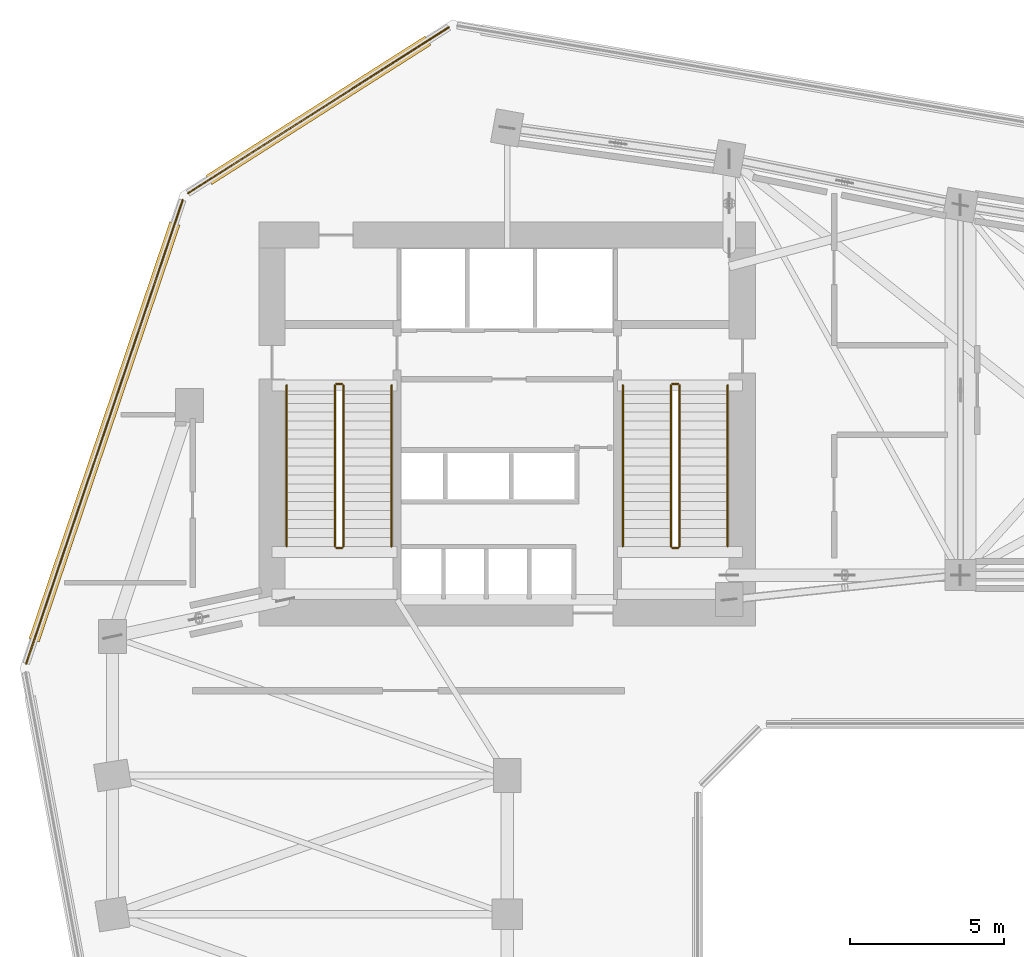
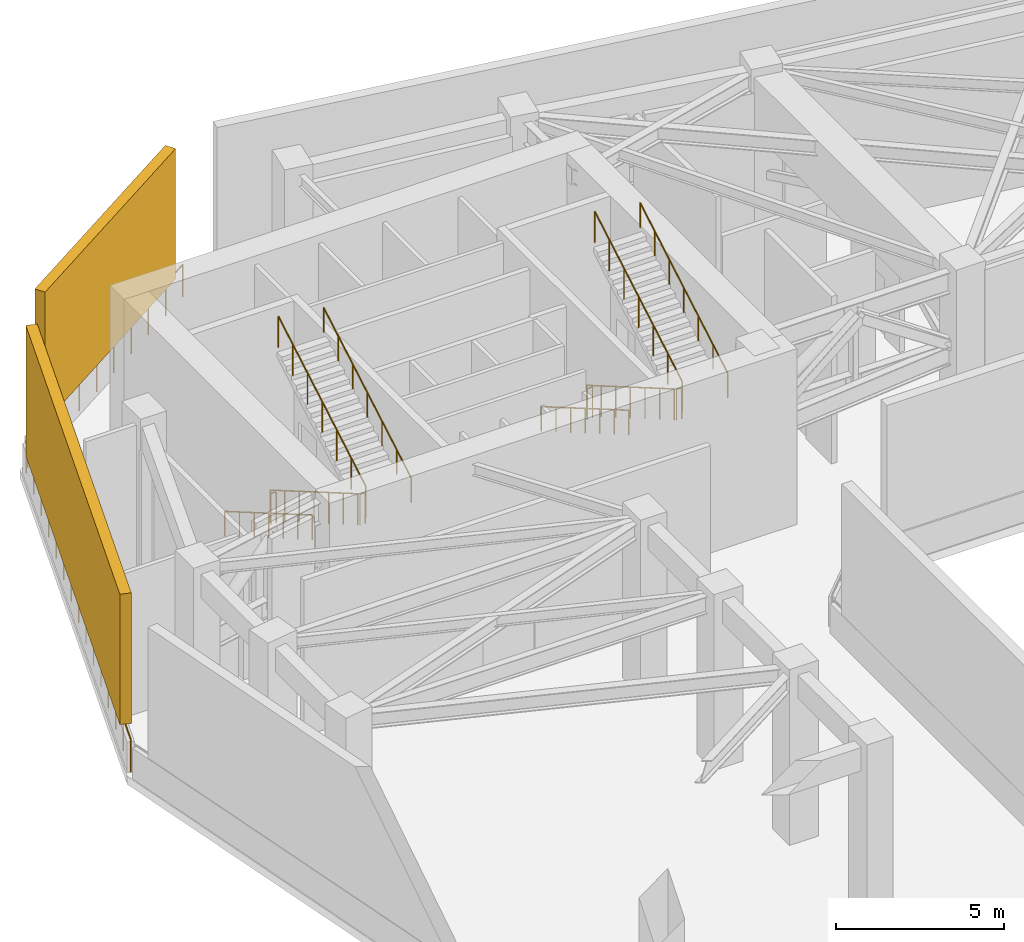
# One storey, part 9 of 10: 14 railings, 2 shading devices.
"""IFC4 building model written with IfcOpenShell, lengths in metres."""

from ifc_helpers import new_model, si_unit, direction, frame, frame_2d, origin, origin_2d, place, context, subcontext, project, spatial, rectangle, circle, extrude, material, type_object, element, save


model = new_model("IFC4")

# Units and contexts
model_context = context("Model", 3, precision=1e-05, world=origin(), true_north=direction((0.0, 1.0)))
body_context = subcontext(model_context, "Body", "Model", "MODEL_VIEW")
ifc_project = project(units=[si_unit("LENGTHUNIT", "METRE"), si_unit("AREAUNIT", "SQUARE_METRE"), si_unit("VOLUMEUNIT", "CUBIC_METRE"), si_unit("PLANEANGLEUNIT", "RADIAN"), si_unit("MASSUNIT", "GRAM", prefix="KILO")], contexts=[model_context])

# Site, building, storey
site_placement = place(None, origin())
site = spatial("IfcSite", under=ifc_project, at=site_placement, CompositionType="ELEMENT")
building_placement = place(site_placement, origin())
building = spatial("IfcBuilding", under=site, at=building_placement, Name="Calvemar Wedge Station Tower", CompositionType="ELEMENT")
storey_placement = place(building_placement, frame((0.0, 0.0, 99.0)))
storey = spatial("IfcBuildingStorey", under=building, at=storey_placement, Name="L24", CompositionType="ELEMENT", Elevation=99.0)

# Railings
ifc_material_1 = material(Name="Stainless steel AISI 316L", Category="steel")
railing_type_1 = type_object("IfcRailingType", Name="GRD-WIND-1200", PredefinedType="GUARDRAIL", material=ifc_material_1)
railing_1_placement = place(storey_placement, frame((21.9052734375, 52.761962890625, 0.0)))
element("IfcRailing", 1, at=railing_1_placement, inside=storey, type_object=railing_type_1, Name="Wind Floor L24 Perimeter Safety Guard 11", PredefinedType="GUARDRAIL", context=body_context, shape_type="SweptSolid", body=[
    extrude(circle(Radius=0.02392578125, at=origin_2d()), frame((0.0, 0.0, 1.17578125), z_axis=(-0.843658477939, -0.536880221839, 0.0), x_axis=(0.536880221839, -0.843658477939, 0.0)), (0.0, 0.0, 1.0), 10.020263671875),
    extrude(circle(Radius=0.02099609375, at=origin_2d()), origin(), (0.0, 0.0, 1.0), 1.15185546875),
    extrude(circle(Radius=0.02099609375, at=origin_2d()), frame((-0.939208984375, -0.59765625, 0.0)), (0.0, 0.0, 1.0), 1.15185546875),
    extrude(circle(Radius=0.02099609375, at=origin_2d()), frame((-1.878662109375, -1.195556640625, 0.0)), (0.0, 0.0, 1.0), 1.15185546875),
    extrude(circle(Radius=0.02099609375, at=origin_2d()), frame((-2.81787109375, -1.793212890625, 0.0)), (0.0, 0.0, 1.0), 1.15185546875),
    extrude(circle(Radius=0.02099609375, at=origin_2d()), frame((-3.757080078125, -2.390869140625, 0.0)), (0.0, 0.0, 1.0), 1.15185546875),
    extrude(circle(Radius=0.02099609375, at=origin_2d()), frame((-4.696533203125, -2.98876953125, 0.0)), (0.0, 0.0, 1.0), 1.15185546875),
    extrude(circle(Radius=0.02099609375, at=origin_2d()), frame((-5.6357421875, -3.58642578125, 0.0)), (0.0, 0.0, 1.0), 1.15185546875),
    extrude(circle(Radius=0.02099609375, at=origin_2d()), frame((-6.574951171875, -4.18408203125, 0.0)), (0.0, 0.0, 1.0), 1.15185546875),
    extrude(circle(Radius=0.02099609375, at=origin_2d()), frame((-7.514404296875, -4.781982421875, 0.0)), (0.0, 0.0, 1.0), 1.15185546875),
    extrude(circle(Radius=0.02099609375, at=origin_2d()), frame((-8.45361328125, -5.379638671875, 0.0)), (0.0, 0.0, 1.0), 1.15185546875),
])
railing_2_placement = place(storey_placement, frame((13.277099609375, 47.15966796875, 0.0)))
element("IfcRailing", 2, at=railing_2_placement, inside=storey, type_object=railing_type_1, Name="Wind Floor L24 Perimeter Safety Guard 12", PredefinedType="GUARDRAIL", context=body_context, shape_type="SweptSolid", body=[
    extrude(circle(Radius=0.02392578125, at=origin_2d()), frame((0.0, 0.0, 1.17578125), z_axis=(-0.319910079984, -0.947447909241, 0.0), x_axis=(0.947447909241, -0.319910079984, 0.0)), (0.0, 0.0, 1.0), 15.862060546875),
    extrude(circle(Radius=0.02099609375, at=origin_2d()), origin(), (0.0, 0.0, 1.0), 1.15185546875),
    extrude(circle(Radius=0.02099609375, at=origin_2d()), frame((-0.362548828125, -1.073486328125, 0.0)), (0.0, 0.0, 1.0), 1.15185546875),
    extrude(circle(Radius=0.02099609375, at=origin_2d()), frame((-0.724853515625, -2.14697265625, 0.0)), (0.0, 0.0, 1.0), 1.15185546875),
    extrude(circle(Radius=0.02099609375, at=origin_2d()), frame((-1.08740234375, -3.220458984375, 0.0)), (0.0, 0.0, 1.0), 1.15185546875),
    extrude(circle(Radius=0.02099609375, at=origin_2d()), frame((-1.449951171875, -4.2939453125, 0.0)), (0.0, 0.0, 1.0), 1.15185546875),
    extrude(circle(Radius=0.02099609375, at=origin_2d()), frame((-1.812255859375, -5.367431640625, 0.0)), (0.0, 0.0, 1.0), 1.15185546875),
    extrude(circle(Radius=0.02099609375, at=origin_2d()), frame((-2.1748046875, -6.44091796875, 0.0)), (0.0, 0.0, 1.0), 1.15185546875),
    extrude(circle(Radius=0.02099609375, at=origin_2d()), frame((-2.537109375, -7.51416015625, 0.0)), (0.0, 0.0, 1.0), 1.15185546875),
    extrude(circle(Radius=0.02099609375, at=origin_2d()), frame((-2.899658203125, -8.587646484375, 0.0)), (0.0, 0.0, 1.0), 1.15185546875),
    extrude(circle(Radius=0.02099609375, at=origin_2d()), frame((-3.26220703125, -9.6611328125, 0.0)), (0.0, 0.0, 1.0), 1.15185546875),
    extrude(circle(Radius=0.02099609375, at=origin_2d()), frame((-3.62451171875, -10.734619140625, 0.0)), (0.0, 0.0, 1.0), 1.15185546875),
    extrude(circle(Radius=0.02099609375, at=origin_2d()), frame((-3.987060546875, -11.80810546875, 0.0)), (0.0, 0.0, 1.0), 1.15185546875),
    extrude(circle(Radius=0.02099609375, at=origin_2d()), frame((-4.349609375, -12.881591796875, 0.0)), (0.0, 0.0, 1.0), 1.15185546875),
    extrude(circle(Radius=0.02099609375, at=origin_2d()), frame((-4.7119140625, -13.955078125, 0.0)), (0.0, 0.0, 1.0), 1.15185546875),
    extrude(circle(Radius=0.02099609375, at=origin_2d()), frame((-5.074462890625, -15.028564453125, 0.0)), (0.0, 0.0, 1.0), 1.15185546875),
])
railing_type_2 = type_object("IfcRailingType", Name="RL-HANDRAIL-920", PredefinedType="HANDRAIL", material=ifc_material_1)
railing_3_placement = place(storey_placement, frame((16.64990234375, 41.14990234375, 0.16845703125)))
element("IfcRailing", 3, at=railing_3_placement, inside=storey, type_object=railing_type_2, Name="L24 ST-C1 stair handrail 1", PredefinedType="HANDRAIL", context=body_context, shape_type="SweptSolid", body=[
    extrude(circle(Radius=0.02392578125, at=origin_2d()), frame((0.0, 0.0, 0.89599609375), z_axis=(0.0, -0.864749852614, 0.5022028399), x_axis=(1.0, 0.0, 0.0)), (0.0, 0.0, 1.0), 6.036376953125),
    extrude(circle(Radius=0.02099609375, at=origin_2d()), origin(), (0.0, 0.0, 1.0), 0.871826171875),
    extrude(circle(Radius=0.02099609375, at=origin_2d()), frame((0.0, -0.8701171875, 0.50537109375)), (0.0, 0.0, 1.0), 0.871826171875),
    extrude(circle(Radius=0.02099609375, at=origin_2d()), frame((0.0, -1.739990234375, 1.010498046875)), (0.0, 0.0, 1.0), 0.871826171875),
    extrude(circle(Radius=0.02099609375, at=origin_2d()), frame((0.0, -2.60986328125, 1.515625)), (0.0, 0.0, 1.0), 0.871826171875),
    extrude(circle(Radius=0.02099609375, at=origin_2d()), frame((0.0, -3.47998046875, 2.02099609375)), (0.0, 0.0, 1.0), 0.871826171875),
    extrude(circle(Radius=0.02099609375, at=origin_2d()), frame((0.0, -4.35009765625, 2.5263671875)), (0.0, 0.0, 1.0), 0.871826171875),
    extrude(circle(Radius=0.02099609375, at=origin_2d()), frame((0.0, -5.219970703125, 3.031494140625)), (0.0, 0.0, 1.0), 0.871826171875),
])
railing_4_placement = place(storey_placement, frame((20.050048828125, 35.929931640625, 3.368408203125)))
element("IfcRailing", 4, at=railing_4_placement, inside=storey, type_object=railing_type_2, Name="L24 ST-C1 stair handrail 2", PredefinedType="HANDRAIL", context=body_context, shape_type="SweptSolid", body=[
    extrude(circle(Radius=0.02392578125, at=origin_2d()), frame((0.0, 0.0, 0.89599609375), z_axis=(0.0, 0.864749852614, 0.5022028399), x_axis=(-1.0, 0.0, 0.0)), (0.0, 0.0, 1.0), 6.036376953125),
    extrude(circle(Radius=0.02099609375, at=origin_2d()), origin(), (0.0, 0.0, 1.0), 0.871826171875),
    extrude(circle(Radius=0.02099609375, at=origin_2d()), frame((0.0, 0.8701171875, 0.50537109375)), (0.0, 0.0, 1.0), 0.871826171875),
    extrude(circle(Radius=0.02099609375, at=origin_2d()), frame((0.0, 1.739990234375, 1.010498046875)), (0.0, 0.0, 1.0), 0.871826171875),
    extrude(circle(Radius=0.02099609375, at=origin_2d()), frame((0.0, 2.60986328125, 1.515625)), (0.0, 0.0, 1.0), 0.871826171875),
    extrude(circle(Radius=0.02099609375, at=origin_2d()), frame((0.0, 3.47998046875, 2.02099609375)), (0.0, 0.0, 1.0), 0.871826171875),
    extrude(circle(Radius=0.02099609375, at=origin_2d()), frame((0.0, 4.35009765625, 2.5263671875)), (0.0, 0.0, 1.0), 0.871826171875),
    extrude(circle(Radius=0.02099609375, at=origin_2d()), frame((0.0, 5.219970703125, 3.031494140625)), (0.0, 0.0, 1.0), 0.871826171875),
])
railing_5_placement = place(storey_placement, frame((27.550048828125, 41.14990234375, 0.16845703125)))
element("IfcRailing", 5, at=railing_5_placement, inside=storey, type_object=railing_type_2, Name="L24 ST-C2 stair handrail 1", PredefinedType="HANDRAIL", context=body_context, shape_type="SweptSolid", body=[
    extrude(circle(Radius=0.02392578125, at=origin_2d()), frame((0.0, 0.0, 0.89599609375), z_axis=(0.0, -0.864749852614, 0.5022028399), x_axis=(1.0, 0.0, 0.0)), (0.0, 0.0, 1.0), 6.036376953125),
    extrude(circle(Radius=0.02099609375, at=origin_2d()), origin(), (0.0, 0.0, 1.0), 0.871826171875),
    extrude(circle(Radius=0.02099609375, at=origin_2d()), frame((0.0, -0.8701171875, 0.50537109375)), (0.0, 0.0, 1.0), 0.871826171875),
    extrude(circle(Radius=0.02099609375, at=origin_2d()), frame((0.0, -1.739990234375, 1.010498046875)), (0.0, 0.0, 1.0), 0.871826171875),
    extrude(circle(Radius=0.02099609375, at=origin_2d()), frame((0.0, -2.60986328125, 1.515625)), (0.0, 0.0, 1.0), 0.871826171875),
    extrude(circle(Radius=0.02099609375, at=origin_2d()), frame((0.0, -3.47998046875, 2.02099609375)), (0.0, 0.0, 1.0), 0.871826171875),
    extrude(circle(Radius=0.02099609375, at=origin_2d()), frame((0.0, -4.35009765625, 2.5263671875)), (0.0, 0.0, 1.0), 0.871826171875),
    extrude(circle(Radius=0.02099609375, at=origin_2d()), frame((0.0, -5.219970703125, 3.031494140625)), (0.0, 0.0, 1.0), 0.871826171875),
])
railing_6_placement = place(storey_placement, frame((30.949951171875, 35.929931640625, 3.368408203125)))
element("IfcRailing", 6, at=railing_6_placement, inside=storey, type_object=railing_type_2, Name="L24 ST-C2 stair handrail 2", PredefinedType="HANDRAIL", context=body_context, shape_type="SweptSolid", body=[
    extrude(circle(Radius=0.02392578125, at=origin_2d()), frame((0.0, 0.0, 0.89599609375), z_axis=(0.0, 0.864749852614, 0.5022028399), x_axis=(-1.0, 0.0, 0.0)), (0.0, 0.0, 1.0), 6.036376953125),
    extrude(circle(Radius=0.02099609375, at=origin_2d()), origin(), (0.0, 0.0, 1.0), 0.871826171875),
    extrude(circle(Radius=0.02099609375, at=origin_2d()), frame((0.0, 0.8701171875, 0.50537109375)), (0.0, 0.0, 1.0), 0.871826171875),
    extrude(circle(Radius=0.02099609375, at=origin_2d()), frame((0.0, 1.739990234375, 1.010498046875)), (0.0, 0.0, 1.0), 0.871826171875),
    extrude(circle(Radius=0.02099609375, at=origin_2d()), frame((0.0, 2.60986328125, 1.515625)), (0.0, 0.0, 1.0), 0.871826171875),
    extrude(circle(Radius=0.02099609375, at=origin_2d()), frame((0.0, 3.47998046875, 2.02099609375)), (0.0, 0.0, 1.0), 0.871826171875),
    extrude(circle(Radius=0.02099609375, at=origin_2d()), frame((0.0, 4.35009765625, 2.5263671875)), (0.0, 0.0, 1.0), 0.871826171875),
    extrude(circle(Radius=0.02099609375, at=origin_2d()), frame((0.0, 5.219970703125, 3.031494140625)), (0.0, 0.0, 1.0), 0.871826171875),
])
ifc_material_2 = material(Name="Painted steel guardrail ASTM A500 Grade C", Category="steel")
railing_type_3 = type_object("IfcRailingType", Name="RL-STAIR-GUARD-1150", PredefinedType="GUARDRAIL", material=ifc_material_2)
railing_7_placement = place(storey_placement, frame((18.2099609375, 41.14990234375, 0.16845703125)))
element("IfcRailing", 7, at=railing_7_placement, inside=storey, type_object=railing_type_3, Name="L24 ST-C1 stair guard 1", PredefinedType="GUARDRAIL", context=body_context, shape_type="SweptSolid", body=[
    extrude(circle(Radius=0.02392578125, at=origin_2d()), frame((0.0, 0.0, 1.1259765625), z_axis=(0.0, -0.864749852614, 0.5022028399), x_axis=(1.0, 0.0, 0.0)), (0.0, 0.0, 1.0), 6.036376953125),
    extrude(circle(Radius=0.02099609375, at=origin_2d()), origin(), (0.0, 0.0, 1.0), 1.101806640625),
    extrude(circle(Radius=0.02099609375, at=origin_2d()), frame((0.0, -0.8701171875, 0.50537109375)), (0.0, 0.0, 1.0), 1.101806640625),
    extrude(circle(Radius=0.02099609375, at=origin_2d()), frame((0.0, -1.739990234375, 1.010498046875)), (0.0, 0.0, 1.0), 1.101806640625),
    extrude(circle(Radius=0.02099609375, at=origin_2d()), frame((0.0, -2.60986328125, 1.515625)), (0.0, 0.0, 1.0), 1.101806640625),
    extrude(circle(Radius=0.02099609375, at=origin_2d()), frame((0.0, -3.47998046875, 2.02099609375)), (0.0, 0.0, 1.0), 1.101806640625),
    extrude(circle(Radius=0.02099609375, at=origin_2d()), frame((0.0, -4.35009765625, 2.5263671875)), (0.0, 0.0, 1.0), 1.101806640625),
    extrude(circle(Radius=0.02099609375, at=origin_2d()), frame((0.0, -5.219970703125, 3.031494140625)), (0.0, 0.0, 1.0), 1.101806640625),
])
railing_8_placement = place(storey_placement, frame((18.260009765625, 35.8798828125, 3.199951171875)))
element("IfcRailing", 8, at=railing_8_placement, inside=storey, type_object=railing_type_3, Name="L24 ST-C1 stair guard 2", PredefinedType="GUARDRAIL", context=body_context, shape_type="SweptSolid", body=[
    extrude(circle(Radius=0.02392578125, at=origin_2d()), frame((0.0, 0.0, 1.1259765625), z_axis=(1.0, 0.0, 0.0), x_axis=(0.0, 1.0, 0.0)), (0.0, 0.0, 1.0), 0.179931640625),
    extrude(circle(Radius=0.02099609375, at=origin_2d()), origin(), (0.0, 0.0, 1.0), 1.101806640625),
    extrude(circle(Radius=0.02099609375, at=origin_2d()), frame((0.179931640625, 0.0, 0.0)), (0.0, 0.0, 1.0), 1.101806640625),
])
railing_9_placement = place(storey_placement, frame((18.489990234375, 35.929931640625, 3.368408203125)))
element("IfcRailing", 9, at=railing_9_placement, inside=storey, type_object=railing_type_3, Name="L24 ST-C1 stair guard 3", PredefinedType="GUARDRAIL", context=body_context, shape_type="SweptSolid", body=[
    extrude(circle(Radius=0.02392578125, at=origin_2d()), frame((0.0, 0.0, 1.1259765625), z_axis=(0.0, 0.864749852614, 0.5022028399), x_axis=(-1.0, 0.0, 0.0)), (0.0, 0.0, 1.0), 6.036376953125),
    extrude(circle(Radius=0.02099609375, at=origin_2d()), origin(), (0.0, 0.0, 1.0), 1.101806640625),
    extrude(circle(Radius=0.02099609375, at=origin_2d()), frame((0.0, 0.8701171875, 0.50537109375)), (0.0, 0.0, 1.0), 1.101806640625),
    extrude(circle(Radius=0.02099609375, at=origin_2d()), frame((0.0, 1.739990234375, 1.010498046875)), (0.0, 0.0, 1.0), 1.101806640625),
    extrude(circle(Radius=0.02099609375, at=origin_2d()), frame((0.0, 2.60986328125, 1.515625)), (0.0, 0.0, 1.0), 1.101806640625),
    extrude(circle(Radius=0.02099609375, at=origin_2d()), frame((0.0, 3.47998046875, 2.02099609375)), (0.0, 0.0, 1.0), 1.101806640625),
    extrude(circle(Radius=0.02099609375, at=origin_2d()), frame((0.0, 4.35009765625, 2.5263671875)), (0.0, 0.0, 1.0), 1.101806640625),
    extrude(circle(Radius=0.02099609375, at=origin_2d()), frame((0.0, 5.219970703125, 3.031494140625)), (0.0, 0.0, 1.0), 1.101806640625),
])
railing_10_placement = place(storey_placement, frame((18.260009765625, 41.199951171875, 0.0)))
element("IfcRailing", 10, at=railing_10_placement, inside=storey, type_object=railing_type_3, Name="L24 ST-C1 stair guard 4", PredefinedType="GUARDRAIL", context=body_context, shape_type="SweptSolid", body=[
    extrude(circle(Radius=0.02392578125, at=origin_2d()), frame((0.0, 0.0, 1.1259765625), z_axis=(1.0, 0.0, 0.0), x_axis=(0.0, 1.0, 0.0)), (0.0, 0.0, 1.0), 0.179931640625),
    extrude(circle(Radius=0.02099609375, at=origin_2d()), origin(), (0.0, 0.0, 1.0), 1.101806640625),
    extrude(circle(Radius=0.02099609375, at=origin_2d()), frame((0.179931640625, 0.0, 0.0)), (0.0, 0.0, 1.0), 1.101806640625),
])
railing_11_placement = place(storey_placement, frame((29.110107421875, 41.14990234375, 0.16845703125)))
element("IfcRailing", 11, at=railing_11_placement, inside=storey, type_object=railing_type_3, Name="L24 ST-C2 stair guard 1", PredefinedType="GUARDRAIL", context=body_context, shape_type="SweptSolid", body=[
    extrude(circle(Radius=0.02392578125, at=origin_2d()), frame((0.0, 0.0, 1.1259765625), z_axis=(0.0, -0.864749852614, 0.5022028399), x_axis=(1.0, 0.0, 0.0)), (0.0, 0.0, 1.0), 6.036376953125),
    extrude(circle(Radius=0.02099609375, at=origin_2d()), origin(), (0.0, 0.0, 1.0), 1.101806640625),
    extrude(circle(Radius=0.02099609375, at=origin_2d()), frame((0.0, -0.8701171875, 0.50537109375)), (0.0, 0.0, 1.0), 1.101806640625),
    extrude(circle(Radius=0.02099609375, at=origin_2d()), frame((0.0, -1.739990234375, 1.010498046875)), (0.0, 0.0, 1.0), 1.101806640625),
    extrude(circle(Radius=0.02099609375, at=origin_2d()), frame((0.0, -2.60986328125, 1.515625)), (0.0, 0.0, 1.0), 1.101806640625),
    extrude(circle(Radius=0.02099609375, at=origin_2d()), frame((0.0, -3.47998046875, 2.02099609375)), (0.0, 0.0, 1.0), 1.101806640625),
    extrude(circle(Radius=0.02099609375, at=origin_2d()), frame((0.0, -4.35009765625, 2.5263671875)), (0.0, 0.0, 1.0), 1.101806640625),
    extrude(circle(Radius=0.02099609375, at=origin_2d()), frame((0.0, -5.219970703125, 3.031494140625)), (0.0, 0.0, 1.0), 1.101806640625),
])
railing_12_placement = place(storey_placement, frame((29.159912109375, 35.8798828125, 3.199951171875)))
element("IfcRailing", 12, at=railing_12_placement, inside=storey, type_object=railing_type_3, Name="L24 ST-C2 stair guard 2", PredefinedType="GUARDRAIL", context=body_context, shape_type="SweptSolid", body=[
    extrude(circle(Radius=0.02392578125, at=origin_2d()), frame((0.0, 0.0, 1.1259765625), z_axis=(1.0, 0.0, 0.0), x_axis=(0.0, 1.0, 0.0)), (0.0, 0.0, 1.0), 0.18017578125),
    extrude(circle(Radius=0.02099609375, at=origin_2d()), origin(), (0.0, 0.0, 1.0), 1.101806640625),
    extrude(circle(Radius=0.02099609375, at=origin_2d()), frame((0.18017578125, 0.0, 0.0)), (0.0, 0.0, 1.0), 1.101806640625),
])
railing_13_placement = place(storey_placement, frame((29.389892578125, 35.929931640625, 3.368408203125)))
element("IfcRailing", 13, at=railing_13_placement, inside=storey, type_object=railing_type_3, Name="L24 ST-C2 stair guard 3", PredefinedType="GUARDRAIL", context=body_context, shape_type="SweptSolid", body=[
    extrude(circle(Radius=0.02392578125, at=origin_2d()), frame((0.0, 0.0, 1.1259765625), z_axis=(0.0, 0.864749852614, 0.5022028399), x_axis=(-1.0, 0.0, 0.0)), (0.0, 0.0, 1.0), 6.036376953125),
    extrude(circle(Radius=0.02099609375, at=origin_2d()), origin(), (0.0, 0.0, 1.0), 1.101806640625),
    extrude(circle(Radius=0.02099609375, at=origin_2d()), frame((0.0, 0.8701171875, 0.50537109375)), (0.0, 0.0, 1.0), 1.101806640625),
    extrude(circle(Radius=0.02099609375, at=origin_2d()), frame((0.0, 1.739990234375, 1.010498046875)), (0.0, 0.0, 1.0), 1.101806640625),
    extrude(circle(Radius=0.02099609375, at=origin_2d()), frame((0.0, 2.60986328125, 1.515625)), (0.0, 0.0, 1.0), 1.101806640625),
    extrude(circle(Radius=0.02099609375, at=origin_2d()), frame((0.0, 3.47998046875, 2.02099609375)), (0.0, 0.0, 1.0), 1.101806640625),
    extrude(circle(Radius=0.02099609375, at=origin_2d()), frame((0.0, 4.35009765625, 2.5263671875)), (0.0, 0.0, 1.0), 1.101806640625),
    extrude(circle(Radius=0.02099609375, at=origin_2d()), frame((0.0, 5.219970703125, 3.031494140625)), (0.0, 0.0, 1.0), 1.101806640625),
])
railing_14_placement = place(storey_placement, frame((29.159912109375, 41.199951171875, 0.0)))
element("IfcRailing", 14, at=railing_14_placement, inside=storey, type_object=railing_type_3, Name="L24 ST-C2 stair guard 4", PredefinedType="GUARDRAIL", context=body_context, shape_type="SweptSolid", body=[
    extrude(circle(Radius=0.02392578125, at=origin_2d()), frame((0.0, 0.0, 1.1259765625), z_axis=(1.0, 0.0, 0.0), x_axis=(0.0, 1.0, 0.0)), (0.0, 0.0, 1.0), 0.18017578125),
    extrude(circle(Radius=0.02099609375, at=origin_2d()), origin(), (0.0, 0.0, 1.0), 1.101806640625),
    extrude(circle(Radius=0.02099609375, at=origin_2d()), frame((0.18017578125, 0.0, 0.0)), (0.0, 0.0, 1.0), 1.101806640625),
])

# Shading devices
ifc_material_3 = material(Name="Anodised aluminium 6063-T6", Category="aluminium")
shading_device_type = type_object("IfcShadingDeviceType", Name="SHD-LOUVRE-1", PredefinedType="JALOUSIE", material=ifc_material_3)
shading_device_1_placement = place(storey_placement, frame((21.23046875, 52.33251953125, 1.199951171875), z_axis=(0.0, 0.0, 1.0), x_axis=(-0.843665069438, -0.536869863756, 0.0)))
element("IfcShadingDevice", 15, at=shading_device_1_placement, inside=storey, type_object=shading_device_type, Name="Wind Floor L24 Jalousie Intake Louvre 11", PredefinedType="JALOUSIE", context=body_context, shape_type="SweptSolid", body=[
    extrude(rectangle(XDim=8.420166015625, YDim=0.35009765625, at=frame_2d((4.2099609375, 0.0))), origin(), (0.0, 0.0, 1.0), 4.75),
])
shading_device_2_placement = place(storey_placement, frame((13.021240234375, 46.401611328125, 1.199951171875), z_axis=(0.0, 0.0, 1.0), x_axis=(-0.319922905319, -0.947443578612, 0.0)))
element("IfcShadingDevice", 16, at=shading_device_2_placement, inside=storey, type_object=shading_device_type, Name="Wind Floor L24 Jalousie Intake Louvre 12", PredefinedType="JALOUSIE", context=body_context, shape_type="SweptSolid", body=[
    extrude(rectangle(XDim=14.261962890625, YDim=0.35009765625, at=frame_2d((7.130859375, 0.0))), origin(), (0.0, 0.0, 1.0), 4.75),
])

save(model, "model.ifc")
